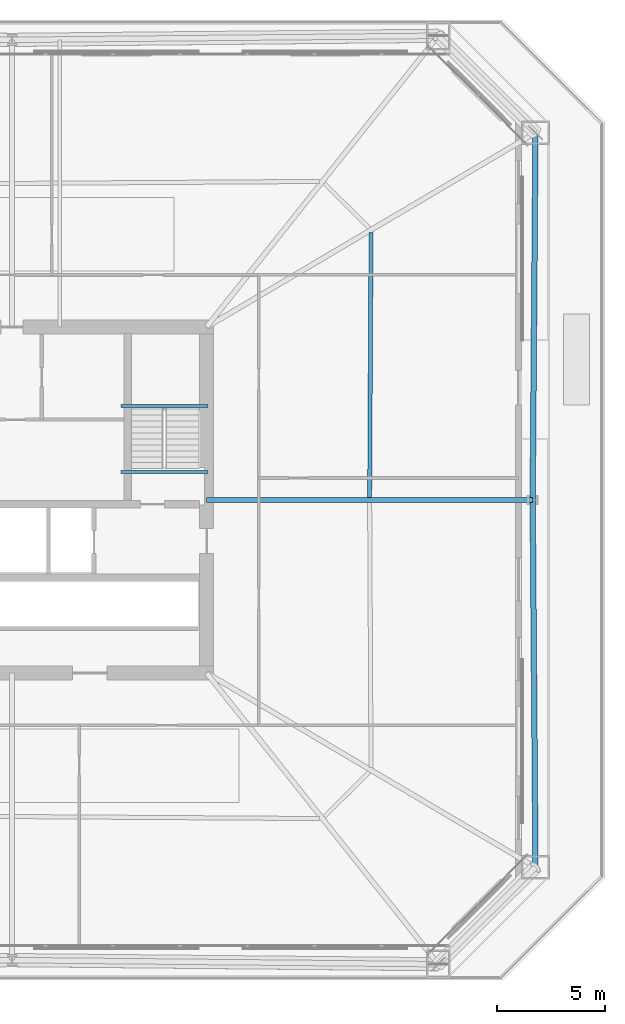
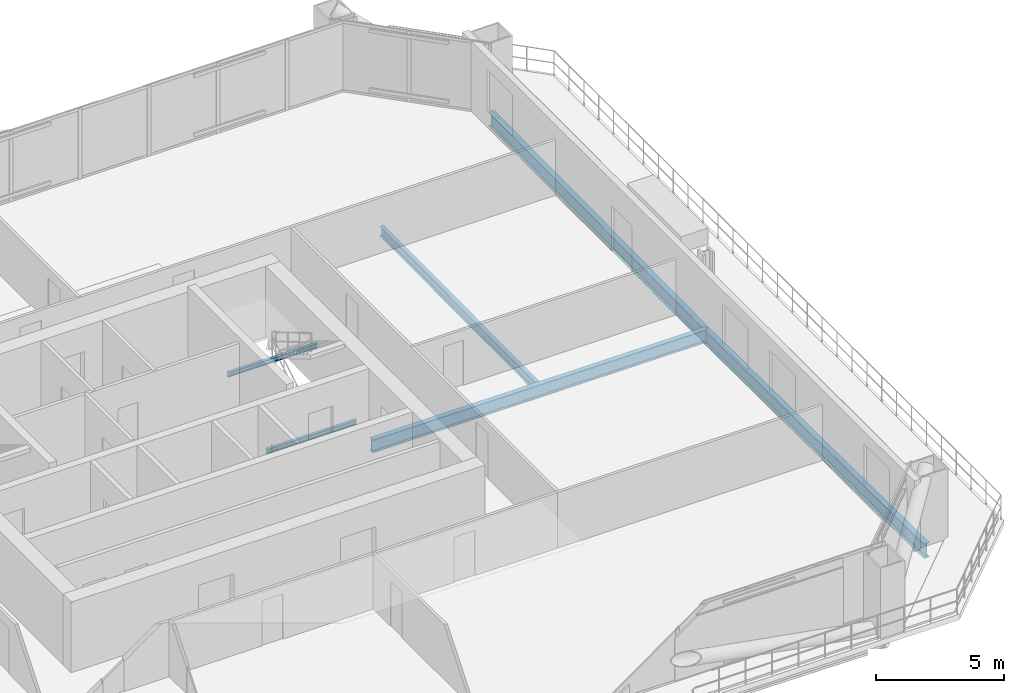
# One storey, part 16 of 34: 6 beams.
"""IFC4 building model written with IfcOpenShell, lengths in metres."""

import ifcopenshell
import ifcopenshell.guid

model = None  # the IFC model being written
_history = None  # IfcOwnerHistory: only IFC2X3 demands one
_inside = {}  # id of a spatial element -> (the spatial element, [elements in it])
_under = {}  # id of a project, library or spatial element -> (it, [spatial elements below it])
_declared = {}  # id of a project -> (the project, [libraries it declares])
_typed = {}  # id of a type object -> (the type object, [elements of that type])
_made_of = {}  # id of a material, layer set ... -> (it, [elements and type objects made of it])


def new_model(schema):
    """Start an empty IFC model of exactly this schema.

    Asked for "IFC4X3", IfcOpenShell would pick the latest addendum, in which some entities
    have other attributes; the version numbers below select the first issue.
    IFC2X3 requires an IfcOwnerHistory on every rooted entity: one is made here for all.
    """
    global model, _history
    if schema == "IFC4X3":
        model = ifcopenshell.file(schema_version=(4, 3, 0, 0))
    else:
        model = ifcopenshell.file(schema=schema)
    _inside.clear()
    _under.clear()
    _declared.clear()
    _typed.clear()
    _made_of.clear()
    _history = None
    if model.schema == "IFC2X3":
        org = make("IfcOrganization", Name="unknown")
        user = make(
            "IfcPersonAndOrganization",
            ThePerson=make("IfcPerson", FamilyName="unknown"),
            TheOrganization=org,
        )
        app = make(
            "IfcApplication",
            ApplicationDeveloper=org,
            Version="unknown",
            ApplicationFullName="unknown",
            ApplicationIdentifier="unknown",
        )
        _history = make(
            "IfcOwnerHistory",
            OwningUser=user,
            OwningApplication=app,
            ChangeAction="ADDED",
            CreationDate=0,
        )
    return model


def make(cls, **values):
    """One entity of the class cls with the attributes given. An attribute that is None is left unset."""
    return model.create_entity(
        cls, **{name: value for name, value in values.items() if value is not None}
    )


def rooted(cls, **values):
    """An entity with a GlobalId (a new one), such as an element, a storey or a relation."""
    return make(cls, GlobalId=ifcopenshell.guid.new(), OwnerHistory=_history, **values)


def si_unit(unit_type, name, prefix=None):
    """IfcSIUnit, for example si_unit("LENGTHUNIT", "METRE", prefix="MILLI")."""
    return make("IfcSIUnit", UnitType=unit_type, Prefix=prefix, Name=name)


def assignment(units):
    """IfcUnitAssignment: the units of a project."""
    return None if units is None else make("IfcUnitAssignment", Units=units)


def point(xyz):
    """IfcCartesianPoint."""
    return None if xyz is None else make("IfcCartesianPoint", Coordinates=xyz)


def direction(xyz):
    """IfcDirection."""
    return None if xyz is None else make("IfcDirection", DirectionRatios=xyz)


def frame(location, z_axis=None, x_axis=None):
    """IfcAxis2Placement3D, a coordinate frame: its origin and axes. An axis left out is left unset."""
    return make(
        "IfcAxis2Placement3D",
        Location=point(location),
        Axis=direction(z_axis),
        RefDirection=direction(x_axis),
    )


def frame_2d(location, x_axis=None):
    """IfcAxis2Placement2D, a coordinate frame in the plane: its origin and x axis."""
    return make(
        "IfcAxis2Placement2D", Location=point(location), RefDirection=direction(x_axis)
    )


def origin():
    """The frame at (0, 0, 0) with its axes left unset."""
    return frame((0.0, 0.0, 0.0))


def origin_2d():
    """The frame at (0, 0) in the plane with its x axis left unset."""
    return frame_2d((0.0, 0.0))


def place(relative_to, where):
    """IfcLocalPlacement: puts the frame where relative to a parent placement (None: the world)."""
    return make(
        "IfcLocalPlacement", PlacementRelTo=relative_to, RelativePlacement=where
    )


def context(
    kind, dimensions, precision=None, world=None, true_north=None, identifier=None
):
    """IfcGeometricRepresentationContext, for example the 3D "Model" context."""
    return make(
        "IfcGeometricRepresentationContext",
        ContextIdentifier=identifier,
        ContextType=kind,
        CoordinateSpaceDimension=dimensions,
        Precision=precision,
        WorldCoordinateSystem=world,
        TrueNorth=true_north,
    )


def subcontext(parent, identifier, kind, view, scale=None):
    """IfcGeometricRepresentationSubContext, for example "Body" below "Model"."""
    return make(
        "IfcGeometricRepresentationSubContext",
        ContextIdentifier=identifier,
        ContextType=kind,
        ParentContext=parent,
        TargetScale=scale,
        TargetView=view,
    )


def project(units=None, contexts=None):
    """IfcProject with its units and contexts."""
    return rooted(
        "IfcProject",
        Name="project",
        RepresentationContexts=contexts,
        UnitsInContext=assignment(units),
    )


def spatial(cls, under=None, at=None, **own):
    """A site, building, storey or space (cls), placed at a placement, below another one or the project."""
    s = rooted(cls, ObjectPlacement=at, **own)
    if under is not None:
        _under.setdefault(under.id(), (under, []))[1].append(s)
    return s


def profile(cls, at=None, kind="AREA", **sizes):
    """A parametric profile (cls). Its sizes go by their IFC names, for example OverallWidth=200.0."""
    return make(cls, ProfileType=kind, Position=at, **sizes)


def i_section(**sizes):
    """IfcIShapeProfileDef."""
    return profile("IfcIShapeProfileDef", **sizes)


def extrude(swept, where, along, depth):
    """IfcExtrudedAreaSolid: the profile swept, set in the frame where, extruded along a direction by depth."""
    return make(
        "IfcExtrudedAreaSolid",
        SweptArea=swept,
        Position=where,
        ExtrudedDirection=direction(along),
        Depth=depth,
    )


def shape(context_of_items, identifier, shape_type, items):
    """IfcShapeRepresentation: the items that make up one representation, for example the "Body"."""
    return make(
        "IfcShapeRepresentation",
        ContextOfItems=context_of_items,
        RepresentationIdentifier=identifier,
        RepresentationType=shape_type,
        Items=items,
    )


def material(Name=None, Category=None):
    """IfcMaterial."""
    return make("IfcMaterial", Name=Name, Category=Category)


def material_profile(
    of_material, cross_section, Name=None, Category=None, Priority=None
):
    """IfcMaterialProfile: a cross section and its material."""
    return make(
        "IfcMaterialProfile",
        Name=Name,
        Material=of_material,
        Profile=cross_section,
        Priority=Priority,
        Category=Category,
    )


def profile_set(profiles, Name=None, composite=None):
    """IfcMaterialProfileSet."""
    return make(
        "IfcMaterialProfileSet",
        Name=Name,
        MaterialProfiles=profiles,
        CompositeProfile=composite,
    )


def made_of(thing, what):
    """Note that an element or type object is made of a material, layer set ...; save() writes the relation."""
    if what is not None:
        _made_of.setdefault(what.id(), (what, []))[1].append(thing)
    return thing


def type_object(cls, material=None, **own):
    """A type object (cls), such as IfcWallType, which elements share."""
    return made_of(rooted(cls, **own), material)


def element(
    cls,
    number,
    at=None,
    inside=None,
    cuts=None,
    type_object=None,
    material=None,
    context=None,
    identifier="Body",
    shape_type=None,
    held_by="IfcProductDefinitionShape",
    body=None,
    shapes=None,
    **own,
):
    """One element of the class cls, such as IfcWall. Its Tag is "e" and its number.

    at: its placement. inside: the storey or other place that contains it. cuts: it is an
    opening in that element (IfcRelVoidsElement). A single representation is given by context,
    identifier, shape_type and body (its items); several are given by shapes. held_by: the class
    of the entity that holds the representations. save() writes the other relations.
    """
    e = rooted(cls, Tag="e%d" % number, ObjectPlacement=at, **own)
    if body is not None:
        shapes = [shape(context, identifier, shape_type, body)]
    if shapes is not None:
        e.Representation = make(held_by, Representations=shapes)
    if inside is not None:
        _inside.setdefault(inside.id(), (inside, []))[1].append(e)
    if cuts is not None:
        rooted(
            "IfcRelVoidsElement", RelatingBuildingElement=cuts, RelatedOpeningElement=e
        )
    if type_object is not None:
        _typed.setdefault(type_object.id(), (type_object, []))[1].append(e)
    return made_of(e, material)


def aggregate(whole, parts):
    """IfcRelAggregates: a whole, such as a stair, and the parts it consists of."""
    return rooted("IfcRelAggregates", RelatingObject=whole, RelatedObjects=parts)


def save(model, path):
    """Write the relations noted so far, then the file.

    IfcRelAggregates (storeys below a building ...), IfcRelContainedInSpatialStructure (elements
    in a storey), IfcRelDefinesByType, IfcRelAssociatesMaterial and IfcRelDeclares: one each for
    every whole, place, type object, material and project.
    """
    for whole, parts in _under.values():
        aggregate(whole, parts)
    for where, things in _inside.values():
        rooted(
            "IfcRelContainedInSpatialStructure",
            RelatedElements=things,
            RelatingStructure=where,
        )
    for kind, things in _typed.values():
        rooted("IfcRelDefinesByType", RelatedObjects=things, RelatingType=kind)
    for what, things in _made_of.values():
        rooted("IfcRelAssociatesMaterial", RelatedObjects=things, RelatingMaterial=what)
    for by, libraries in _declared.values():
        rooted("IfcRelDeclares", RelatingContext=by, RelatedDefinitions=libraries)
    model.write(path)


model = new_model("IFC4")

# Units and contexts
model_context = context("Model", 3, precision=1e-05, world=origin(), true_north=direction((0.0, 1.0)))
body_context = subcontext(model_context, "Body", "Model", "MODEL_VIEW")
ifc_project = project(units=[si_unit("LENGTHUNIT", "METRE"), si_unit("AREAUNIT", "SQUARE_METRE"), si_unit("VOLUMEUNIT", "CUBIC_METRE"), si_unit("PLANEANGLEUNIT", "RADIAN"), si_unit("MASSUNIT", "GRAM", prefix="KILO")], contexts=[model_context])

# Site, building, storey
site_placement = place(None, origin())
site = spatial("IfcSite", under=ifc_project, at=site_placement, CompositionType="ELEMENT")
building_placement = place(site_placement, origin())
building = spatial("IfcBuilding", under=site, at=building_placement, Name="Caelvoria Tower", CompositionType="ELEMENT")
storey_placement = place(building_placement, frame((0.0, 0.0, 28.0)))
storey = spatial("IfcBuildingStorey", under=building, at=storey_placement, Name="L06", CompositionType="ELEMENT", Elevation=28.0)

# Beams
ifc_material = material(Name="Structural Steel ASTM A992 Gr.50", Category="steel")
ifc_material_profile_1 = material_profile(ifc_material, i_section(OverallWidth=0.134033203125, OverallDepth=0.2099609375, WebThickness=0.00634765625, FlangeThickness=0.01025390625, FilletRadius=0.010009765625, at=origin_2d()), Name="Structural Steel ASTM A992 Gr.50")
ifc_profile_set_1 = profile_set([ifc_material_profile_1], Name="W200X31.3 - Structural Steel ASTM A992 Gr.50")
beam_type_1 = type_object("IfcBeamType", Name="Canopy Edge Trim Beam W200X31.3", PredefinedType="BEAM", material=ifc_profile_set_1)
for number, where, z_axis, x_axis, name in (
    (1, (51.030029296875, 36.35009765625, 1.4951171875), (1.0, 0.0, 0.0), (0.0, 1.0, 0.0), "ST-02 Half-Landing Support Beam L06"),
    (2, (51.030029296875, 33.300048828125, -0.304931640625), (1.0, 0.0, 0.0), (0.0, 1.0, 0.0), "ST-02 Floor-Landing Support Beam L06"),
):
    element("IfcBeam", number, at=place(storey_placement, frame(where, z_axis=z_axis, x_axis=x_axis)), inside=storey, type_object=beam_type_1, Name=name, PredefinedType="BEAM", context=body_context, shape_type="SweptSolid", body=[
        extrude(i_section(OverallWidth=0.134033203125, OverallDepth=0.2099609375, WebThickness=0.00634765625, FlangeThickness=0.01025390625, FilletRadius=0.010009765625, at=origin_2d()), origin(), (0.0, 0.0, 1.0), 4.0400390625),
    ])
ifc_material_profile_2 = material_profile(ifc_material, i_section(OverallWidth=0.25390625, OverallDepth=0.68798828125, WebThickness=0.01318359375, FlangeThickness=0.02099609375, FilletRadius=0.01904296875, at=origin_2d()), Name="Structural Steel ASTM A992 Gr.50")
ifc_profile_set_2 = profile_set([ifc_material_profile_2], Name="W690X152 - Structural Steel ASTM A992 Gr.50")
beam_type_2 = type_object("IfcBeamType", Name="Perimeter Spandrel Girder W690X152", PredefinedType="BEAM", material=ifc_profile_set_2)
for number, where, z_axis, x_axis, name in (
    (3, (70.210693359375, 15.013427734375, -0.6640625), (-0.007689095313, 0.99997043847, 0.0), (-0.99997043847, -0.007689095313, 0.0), "Perimeter Spandrel Girder L06-03"),
    (4, (70.080078125, 32.0, -0.6640625), (0.007689095313, 0.99997043847, 0.0), (-0.99997043847, 0.007689095313, 0.0), "Perimeter Spandrel Girder L06-04"),
):
    element("IfcBeam", number, at=place(storey_placement, frame(where, z_axis=z_axis, x_axis=x_axis)), inside=storey, type_object=beam_type_2, Name=name, PredefinedType="BEAM", context=body_context, shape_type="SweptSolid", body=[
        extrude(i_section(OverallWidth=0.25390625, OverallDepth=0.68798828125, WebThickness=0.01318359375, FlangeThickness=0.02099609375, FilletRadius=0.01904296875, at=origin_2d()), origin(), (0.0, 0.0, 1.0), 16.987060546875),
    ])
ifc_material_profile_3 = material_profile(ifc_material, i_section(OverallWidth=0.22900390625, OverallDepth=0.612060546875, WebThickness=0.011962890625, FlangeThickness=0.01953125, FilletRadius=0.01806640625, at=origin_2d()), Name="Structural Steel ASTM A992 Gr.50")
ifc_profile_set_3 = profile_set([ifc_material_profile_3], Name="W610X125 - Structural Steel ASTM A992 Gr.50")
beam_type_3 = type_object("IfcBeamType", Name="Primary Radial Floor Girder W610X125", PredefinedType="BEAM", material=ifc_profile_set_3)
beam_1_placement = place(storey_placement, frame((55.0, 32.0, -0.6259765625), z_axis=(1.0, 0.0, 0.0), x_axis=(0.0, 1.0, 0.0)))
element("IfcBeam", 5, at=beam_1_placement, inside=storey, type_object=beam_type_3, Name="Primary Floor Girder L06-04", PredefinedType="BEAM", context=body_context, shape_type="SweptSolid", body=[
    extrude(i_section(OverallWidth=0.22900390625, OverallDepth=0.612060546875, WebThickness=0.011962890625, FlangeThickness=0.01953125, FilletRadius=0.01806640625, at=origin_2d()), origin(), (0.0, 0.0, 1.0), 15.080078125),
])
ifc_material_profile_4 = material_profile(ifc_material, i_section(OverallWidth=0.18994140625, OverallDepth=0.45703125, WebThickness=0.009033203125, FlangeThickness=0.014404296875, FilletRadius=0.014892578125, at=origin_2d()), Name="Structural Steel ASTM A992 Gr.50")
ifc_profile_set_4 = profile_set([ifc_material_profile_4], Name="W460X74 - Structural Steel ASTM A992 Gr.50")
beam_type_4 = type_object("IfcBeamType", Name="Secondary Floor Beam W460X74", PredefinedType="BEAM", material=ifc_profile_set_4)
beam_2_placement = place(storey_placement, frame((62.540771484375, 32.125, -0.548583984375), z_axis=(0.005204420133, 0.999986456914, 0.0), x_axis=(-0.999986456914, 0.005204420133, 0.0)))
element("IfcBeam", 6, at=beam_2_placement, inside=storey, type_object=beam_type_4, Name="Secondary Floor Beam L06-04", PredefinedType="BEAM", context=body_context, shape_type="SweptSolid", body=[
    extrude(i_section(OverallWidth=0.18994140625, OverallDepth=0.45703125, WebThickness=0.009033203125, FlangeThickness=0.014404296875, FilletRadius=0.014892578125, at=origin_2d()), origin(), (0.0, 0.0, 1.0), 12.24365234375),
])

save(model, "model.ifc")
